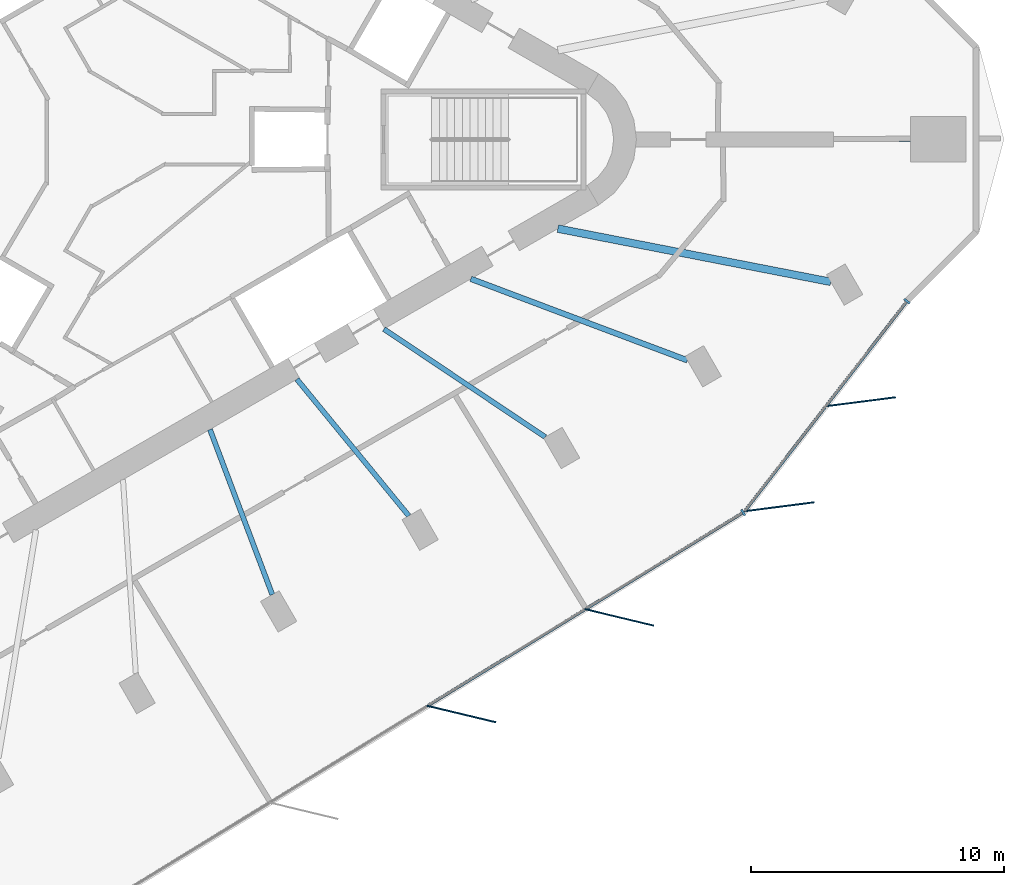
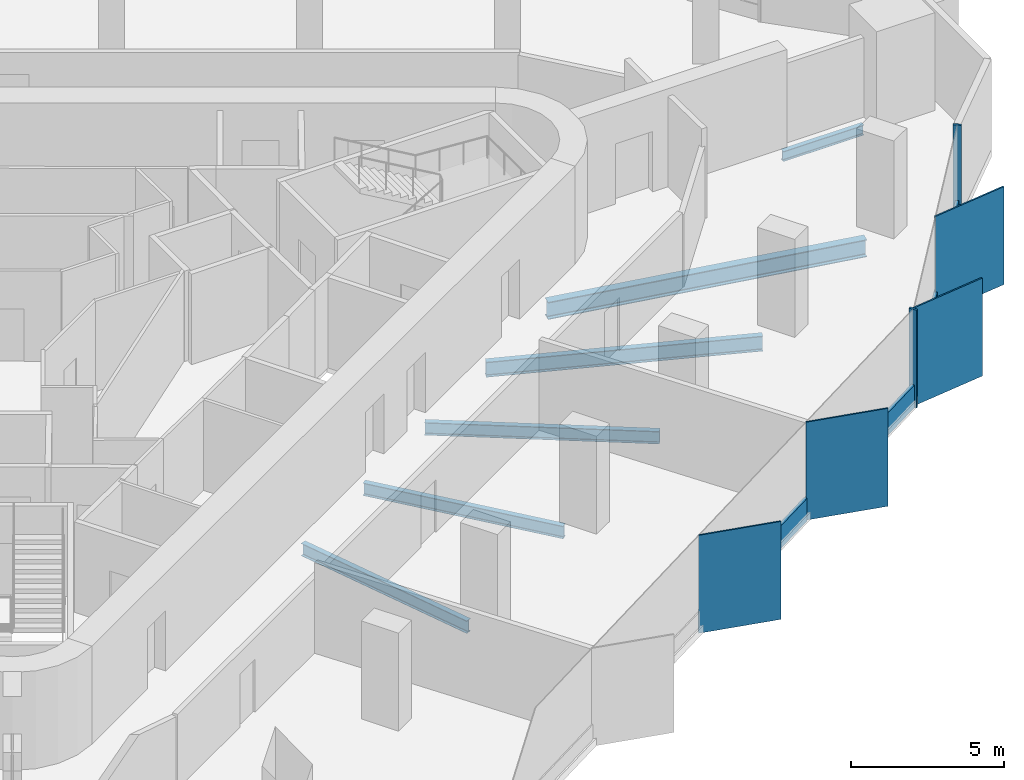
# One storey, part 3 of 12: 10 members, 6 beams, 2 elements without a shape of their own.
"""IFC4 building model written with IfcOpenShell, lengths in metres."""

from ifc_helpers import new_model, si_unit, direction, frame, origin, origin_2d, place, context, subcontext, project, spatial, rectangle, i_section, extrude, material, material_profile, profile_set, type_object, element, aggregate, save


model = new_model("IFC4")

# Units and contexts
model_context = context("Model", 3, precision=1e-05, world=origin(), true_north=direction((0.0, 1.0)))
body_context = subcontext(model_context, "Body", "Model", "MODEL_VIEW")
ifc_project = project(units=[si_unit("LENGTHUNIT", "METRE"), si_unit("AREAUNIT", "SQUARE_METRE"), si_unit("VOLUMEUNIT", "CUBIC_METRE"), si_unit("PLANEANGLEUNIT", "RADIAN"), si_unit("MASSUNIT", "GRAM", prefix="KILO")], contexts=[model_context])

# Site, building, storey
site_placement = place(None, origin())
site = spatial("IfcSite", under=ifc_project, at=site_placement, CompositionType="ELEMENT")
building_placement = place(site_placement, origin())
building = spatial("IfcBuilding", under=site, at=building_placement, Name="Tanit Gate Tower", CompositionType="ELEMENT")
storey_placement = place(building_placement, frame((0.0, 0.0, 353.300048828125)))
storey = spatial("IfcBuildingStorey", under=building, at=storey_placement, Name="L80", CompositionType="ELEMENT", Elevation=353.300048828125)

# Curtain wall, members
ifc_material_1 = material(Name="Aluminium bronze anodised and glass", Category="aluminium")
curtain_wall_type = type_object("IfcCurtainWallType", Name="Curtain wall typical high", PredefinedType="NOTDEFINED", material=ifc_material_1)
curtain_wall_1_placement = place(storey_placement, origin())
curtain_wall_1 = element("IfcCurtainWall", 1, at=curtain_wall_1_placement, inside=storey, type_object=curtain_wall_type, Name="Curtain wall L80 SE2", PredefinedType="NOTDEFINED")
ifc_material_2 = material(Name="Aluminium bronze anodised", Category="aluminium")
ifc_material_profile_1 = material_profile(ifc_material_2, rectangle(XDim=2.800048828125, YDim=0.055908203125, at=origin_2d()), Name="56x2800 bronze fin mullion")
ifc_profile_set_1 = profile_set([ifc_material_profile_1], Name="Aluminium bronze anodised")
member_type_1 = type_object("IfcMemberType", Name="FIN MULLION 56x2800 bronze", PredefinedType="MULLION", material=ifc_profile_set_1)
member_1_placement = place(storey_placement, frame((14.2783203125, -22.727783203125, -0.300048828125), z_axis=(0.0, 0.0, 1.0), x_axis=(-0.972310815553, 0.233691416098, 0.0)))
member_1 = element("IfcMember", 2, at=member_1_placement, type_object=member_type_1, Name="Fin mullion L80 SE2.3", PredefinedType="MULLION", context=body_context, shape_type="SweptSolid", body=[
    extrude(rectangle(XDim=2.800048828125, YDim=0.055908203125, at=origin_2d()), origin(), (0.0, 0.0, 1.0), 3.89990234375),
])
member_2_placement = place(storey_placement, frame((20.521484375, -18.904296875, -0.300048828125), z_axis=(0.0, 0.0, 1.0), x_axis=(-0.972310815553, 0.233691416098, 0.0)))
member_2 = element("IfcMember", 3, at=member_2_placement, type_object=member_type_1, Name="Fin mullion L80 SE2.4", PredefinedType="MULLION", context=body_context, shape_type="SweptSolid", body=[
    extrude(rectangle(XDim=2.800048828125, YDim=0.055908203125, at=origin_2d()), origin(), (0.0, 0.0, 1.0), 3.89990234375),
])

curtain_wall_2_placement = place(storey_placement, origin())
curtain_wall_2 = element("IfcCurtainWall", 4, at=curtain_wall_2_placement, inside=storey, type_object=curtain_wall_type, Name="Curtain wall L80 SE3", PredefinedType="NOTDEFINED")
member_3_placement = place(storey_placement, frame((26.85009765625, -14.5302734375, -0.300048828125), z_axis=(0.0, 0.0, 1.0), x_axis=(-0.991908319997, -0.126956231515, 0.0)))
member_3 = element("IfcMember", 5, at=member_3_placement, type_object=member_type_1, Name="Fin mullion L80 SE3.1", PredefinedType="MULLION", context=body_context, shape_type="SweptSolid", body=[
    extrude(rectangle(XDim=2.800048828125, YDim=0.055908203125, at=origin_2d()), origin(), (0.0, 0.0, 1.0), 3.89990234375),
])
member_4_placement = place(storey_placement, frame((30.060791015625, -10.377197265625, -0.300048828125), z_axis=(0.0, 0.0, 1.0), x_axis=(-0.991908319997, -0.126956231515, 0.0)))
member_4 = element("IfcMember", 6, at=member_4_placement, type_object=member_type_1, Name="Fin mullion L80 SE3.2", PredefinedType="MULLION", context=body_context, shape_type="SweptSolid", body=[
    extrude(rectangle(XDim=2.800048828125, YDim=0.055908203125, at=origin_2d()), origin(), (0.0, 0.0, 1.0), 3.89990234375),
])

# Member
ifc_material_3 = material(Name="Aluminium bronze anodised", Category="aluminium")
ifc_material_profile_2 = material_profile(ifc_material_3, rectangle(XDim=0.280029296875, YDim=0.080078125, at=origin_2d()), Name="80x280 bronze mullion")
ifc_profile_set_2 = profile_set([ifc_material_profile_2], Name="Aluminium bronze anodised")
member_type_2 = type_object("IfcMemberType", Name="Mullion 80x280 typical high", PredefinedType="MULLION", material=ifc_profile_set_2)
member_5_placement = place(storey_placement, frame((25.42236328125, -14.758056640625, -0.300048828125), z_axis=(0.0, 0.0, 1.0), x_axis=(-0.522282786071, 0.852772356127, 0.0)))
member_5 = element("IfcMember", 7, at=member_5_placement, type_object=member_type_2, Name="Mullion L80 SE2.5", PredefinedType="MULLION", context=body_context, shape_type="SweptSolid", body=[
    extrude(rectangle(XDim=0.280029296875, YDim=0.080078125, at=origin_2d()), origin(), (0.0, 0.0, 1.0), 3.89990234375),
])

member_6_placement = place(storey_placement, frame((31.902587890625, -6.399169921875, -0.300048828125), z_axis=(0.0, 0.0, 1.0), x_axis=(-0.791156711604, 0.611613487167, 0.0)))
member_6 = element("IfcMember", 8, at=member_6_placement, type_object=member_type_2, Name="Mullion L80 SE3.3", PredefinedType="MULLION", context=body_context, shape_type="SweptSolid", body=[
    extrude(rectangle(XDim=0.280029296875, YDim=0.080078125, at=origin_2d()), origin(), (0.0, 0.0, 1.0), 3.89990234375),
])

# Beams
ifc_material_4 = material(Name="Steel S355", Category="steel")
ifc_material_profile_3 = material_profile(ifc_material_4, i_section(OverallWidth=0.300048828125, OverallDepth=0.68994140625, WebThickness=0.014404296875, FlangeThickness=0.027099609375, FilletRadius=0.027099609375, at=origin_2d()), Name="HEA 700")
ifc_profile_set_3 = profile_set([ifc_material_profile_3], Name="Steel S355")
beam_type_1 = type_object("IfcBeamType", Name="RADIAL GIRDER HEA 700 S355", PredefinedType="BEAM", material=ifc_profile_set_3)
beam_1_placement = place(storey_placement, frame((28.885498046875, -5.6337890625, -0.64501953125), z_axis=(-0.981508704714, 0.191417508528, 0.0), x_axis=(-0.191417508528, -0.981508704714, 0.0)))
element("IfcBeam", 9, at=beam_1_placement, inside=storey, type_object=beam_type_1, Name="RADIAL GIRDER", PredefinedType="BEAM", context=body_context, shape_type="SweptSolid", body=[
    extrude(i_section(OverallWidth=0.300048828125, OverallDepth=0.68994140625, WebThickness=0.014404296875, FlangeThickness=0.027099609375, FilletRadius=0.027099609375, at=origin_2d()), origin(), (0.0, 0.0, 1.0), 10.996826171875),
])
ifc_material_5 = material(Name="Steel S355", Category="steel")
ifc_material_profile_4 = material_profile(ifc_material_5, i_section(OverallWidth=0.179931640625, OverallDepth=0.39990234375, WebThickness=0.008544921875, FlangeThickness=0.013427734375, FilletRadius=0.02099609375, at=origin_2d()), Name="IPE 400")
ifc_profile_set_4 = profile_set([ifc_material_profile_4], Name="Steel S355")
beam_type_2 = type_object("IfcBeamType", Name="RADIAL GIRDER IPE 400 S355", PredefinedType="BEAM", material=ifc_profile_set_4)
beam_2_placement = place(storey_placement, frame((32.039306640625, 0.0, -0.5), z_axis=(-1.0, 0.0, 0.0), x_axis=(0.0, -1.0, 0.0)))
element("IfcBeam", 10, at=beam_2_placement, inside=storey, type_object=beam_type_2, Name="RADIAL GIRDER", PredefinedType="BEAM", context=body_context, shape_type="SweptSolid", body=[
    extrude(i_section(OverallWidth=0.179931640625, OverallDepth=0.39990234375, WebThickness=0.008544921875, FlangeThickness=0.013427734375, FilletRadius=0.02099609375, at=origin_2d()), origin(), (0.0, 0.0, 1.0), 3.034912109375),
])
ifc_material_6 = material(Name="Steel S355", Category="steel")
ifc_material_profile_5 = material_profile(ifc_material_6, i_section(OverallWidth=0.199951171875, OverallDepth=0.5, WebThickness=0.01025390625, FlangeThickness=0.01611328125, FilletRadius=0.02099609375, at=origin_2d()), Name="IPE 500")
ifc_profile_set_5 = profile_set([ifc_material_profile_5], Name="Steel S355")
beam_type_3 = type_object("IfcBeamType", Name="RADIAL GIRDER IPE 500 S355", PredefinedType="BEAM", material=ifc_profile_set_5)
beam_3_placement = place(storey_placement, frame((6.79638671875, -18.005859375, -0.550048828125), z_axis=(-0.353142148435, 0.935569678324, 0.0), x_axis=(-0.935569678324, -0.353142148435, 0.0)))
element("IfcBeam", 11, at=beam_3_placement, inside=storey, type_object=beam_type_3, Name="RADIAL GIRDER", PredefinedType="BEAM", context=body_context, shape_type="SweptSolid", body=[
    extrude(i_section(OverallWidth=0.199951171875, OverallDepth=0.5, WebThickness=0.01025390625, FlangeThickness=0.01611328125, FilletRadius=0.02099609375, at=origin_2d()), origin(), (0.0, 0.0, 1.0), 6.98193359375),
])
beam_4_placement = place(storey_placement, frame((12.1953125, -14.888916015625, -0.550048828125), z_axis=(-0.633668026137, 0.773605088305, 0.0), x_axis=(-0.773605088305, -0.633668026137, 0.0)))
element("IfcBeam", 12, at=beam_4_placement, inside=storey, type_object=beam_type_3, Name="RADIAL GIRDER", PredefinedType="BEAM", context=body_context, shape_type="SweptSolid", body=[
    extrude(i_section(OverallWidth=0.199951171875, OverallDepth=0.5, WebThickness=0.01025390625, FlangeThickness=0.01611328125, FilletRadius=0.02099609375, at=origin_2d()), origin(), (0.0, 0.0, 1.0), 6.982177734375),
])
beam_5_placement = place(storey_placement, frame((17.59423828125, -11.771728515625, -0.550048828125), z_axis=(-0.831129673439, 0.556078650849, 0.0), x_axis=(-0.556078650849, -0.831129673439, 0.0)))
element("IfcBeam", 13, at=beam_5_placement, inside=storey, type_object=beam_type_3, Name="RADIAL GIRDER", PredefinedType="BEAM", context=body_context, shape_type="SweptSolid", body=[
    extrude(i_section(OverallWidth=0.199951171875, OverallDepth=0.5, WebThickness=0.01025390625, FlangeThickness=0.01611328125, FilletRadius=0.02099609375, at=origin_2d()), origin(), (0.0, 0.0, 1.0), 7.6796875),
])
ifc_material_7 = material(Name="Steel S355", Category="steel")
ifc_material_profile_6 = material_profile(ifc_material_7, i_section(OverallWidth=0.219970703125, OverallDepth=0.60009765625, WebThickness=0.011962890625, FlangeThickness=0.01904296875, FilletRadius=0.02392578125, at=origin_2d()), Name="IPE 600")
ifc_profile_set_6 = profile_set([ifc_material_profile_6], Name="Steel S355")
beam_type_4 = type_object("IfcBeamType", Name="RADIAL GIRDER IPE 600 S355", PredefinedType="BEAM", material=ifc_profile_set_6)
beam_6_placement = place(storey_placement, frame((23.213623046875, -8.73779296875, -0.60009765625), z_axis=(-0.935888654917, 0.352295934688, 0.0), x_axis=(-0.352295934688, -0.935888654917, 0.0)))
element("IfcBeam", 14, at=beam_6_placement, inside=storey, type_object=beam_type_4, Name="RADIAL GIRDER", PredefinedType="BEAM", context=body_context, shape_type="SweptSolid", body=[
    extrude(i_section(OverallWidth=0.219970703125, OverallDepth=0.60009765625, WebThickness=0.011962890625, FlangeThickness=0.01904296875, FilletRadius=0.02392578125, at=origin_2d()), origin(), (0.0, 0.0, 1.0), 9.148193359375),
])

# Member
ifc_material_8 = material(Name="Aluminium bronze anodised", Category="aluminium")
ifc_material_profile_7 = material_profile(ifc_material_8, rectangle(XDim=0.1201171875, YDim=0.89990234375, at=origin_2d()), Name="120x900 bronze transom")
ifc_profile_set_7 = profile_set([ifc_material_profile_7], Name="Aluminium bronze anodised")
member_type_3 = type_object("IfcMemberType", Name="Transom 120x900 typical high", PredefinedType="USERDEFINED", material=ifc_profile_set_7)
member_7_placement = place(storey_placement, frame((12.970458984375, -22.384521484375, 0.14990234375), z_axis=(0.852759670924, 0.522303497639, 0.0), x_axis=(-0.522303497639, 0.852759670924, 0.0)))
member_7 = element("IfcMember", 15, at=member_7_placement, type_object=member_type_3, Name="Transom L80 SE2.3", ObjectType="TRANSOM", PredefinedType="USERDEFINED", context=body_context, shape_type="SweptSolid", body=[
    extrude(rectangle(XDim=0.1201171875, YDim=0.89990234375, at=origin_2d()), origin(), (0.0, 0.0, 1.0), 7.240966796875),
])

member_8_placement = place(storey_placement, frame((19.21337890625, -18.560791015625, 0.14990234375), z_axis=(0.852783884994, 0.522263961513, 0.0), x_axis=(-0.522263961513, 0.852783884994, 0.0)))
member_8 = element("IfcMember", 16, at=member_8_placement, type_object=member_type_3, Name="Transom L80 SE2.4", ObjectType="TRANSOM", PredefinedType="USERDEFINED", context=body_context, shape_type="SweptSolid", body=[
    extrude(rectangle(XDim=0.1201171875, YDim=0.89990234375, at=origin_2d()), origin(), (0.0, 0.0, 1.0), 7.240966796875),
])

aggregate(curtain_wall_1, [member_1, member_2, member_5, member_7, member_8])

member_9_placement = place(storey_placement, frame((25.505615234375, -14.673828125, 0.14990234375), z_axis=(0.611603409018, 0.791164502539, 0.0), x_axis=(-0.791164502539, 0.611603409018, 0.0)))
member_9 = element("IfcMember", 17, at=member_9_placement, type_object=member_type_3, Name="Transom L80 SE3.1", ObjectType="TRANSOM", PredefinedType="USERDEFINED", context=body_context, shape_type="SweptSolid", body=[
    extrude(rectangle(XDim=0.1201171875, YDim=0.89990234375, at=origin_2d()), origin(), (0.0, 0.0, 1.0), 5.16943359375),
])

member_10_placement = place(storey_placement, frame((28.71630859375, -10.520751953125, 0.14990234375), z_axis=(0.611580556954, 0.791182167618, 0.0), x_axis=(-0.791182167618, 0.611580556954, 0.0)))
member_10 = element("IfcMember", 18, at=member_10_placement, type_object=member_type_3, Name="Transom L80 SE3.2", ObjectType="TRANSOM", PredefinedType="USERDEFINED", context=body_context, shape_type="SweptSolid", body=[
    extrude(rectangle(XDim=0.1201171875, YDim=0.89990234375, at=origin_2d()), origin(), (0.0, 0.0, 1.0), 5.169677734375),
])

aggregate(curtain_wall_2, [member_3, member_4, member_6, member_9, member_10])

save(model, "model.ifc")
